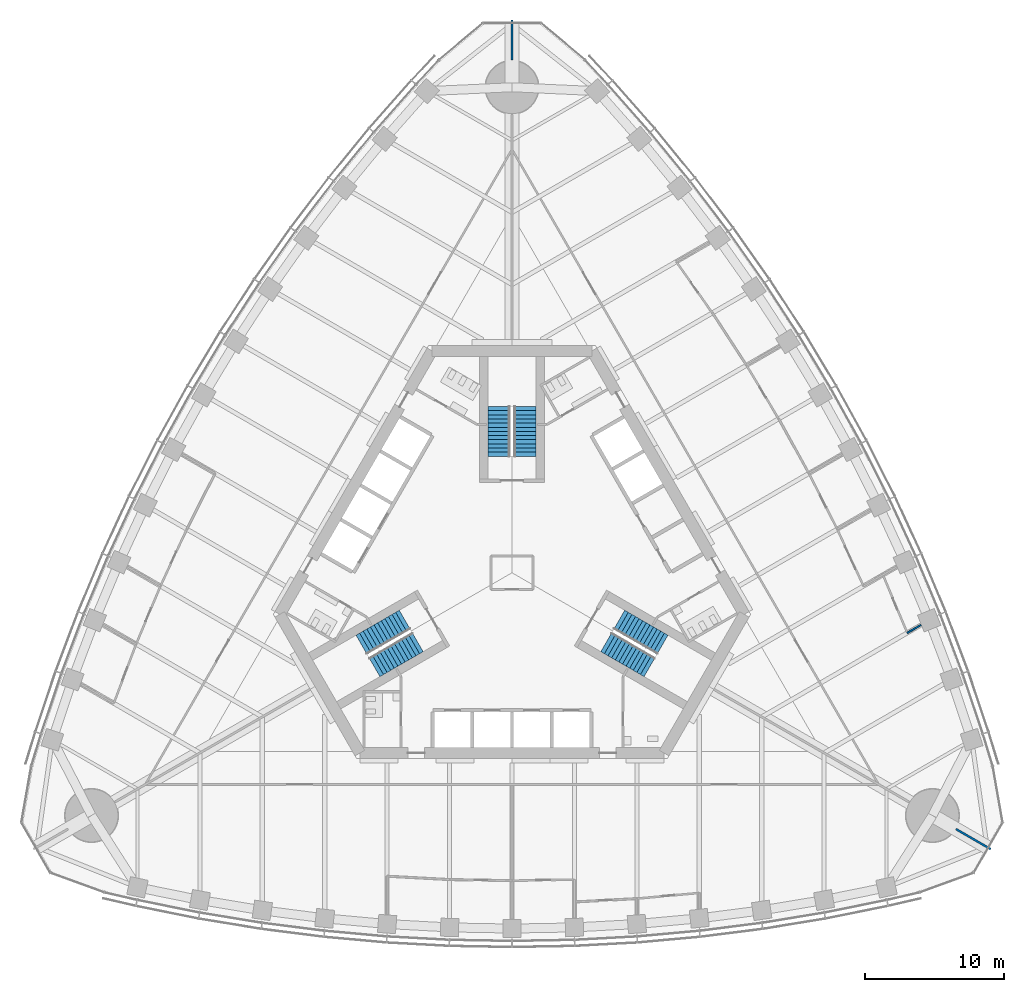
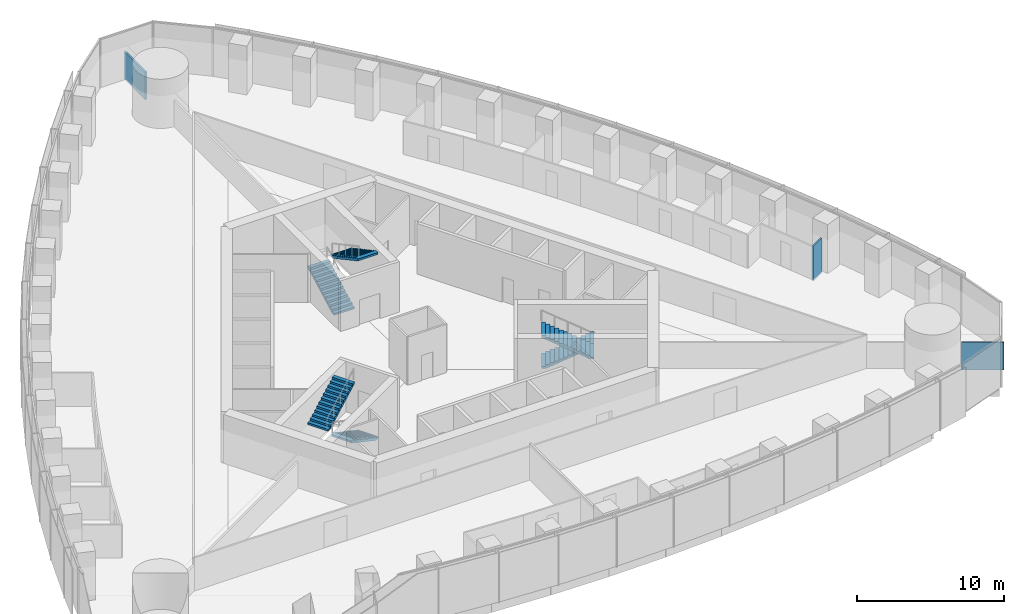
# One storey, part 14 of 19: 6 stair flights, 3 walls, 3 elements without a shape of their own.
"""IFC4 building model written with IfcOpenShell, lengths in metres."""

from ifc_helpers import new_model, si_unit, direction, frame, frame_2d, origin, place, context, subcontext, project, spatial, polyline, rectangle, outline, extrude, material, layer, layer_set, type_object, element, aggregate, save


model = new_model("IFC4")

# Units and contexts
model_context = context("Model", 3, precision=1e-05, world=origin(), true_north=direction((0.0, 1.0)))
body_context = subcontext(model_context, "Body", "Model", "MODEL_VIEW")
ifc_project = project(units=[si_unit("LENGTHUNIT", "METRE"), si_unit("AREAUNIT", "SQUARE_METRE"), si_unit("VOLUMEUNIT", "CUBIC_METRE"), si_unit("PLANEANGLEUNIT", "RADIAN"), si_unit("MASSUNIT", "GRAM", prefix="KILO")], contexts=[model_context])

# Site, building, storey
site_placement = place(None, origin())
site = spatial("IfcSite", under=ifc_project, at=site_placement, CompositionType="ELEMENT")
building_placement = place(site_placement, origin())
building = spatial("IfcBuilding", under=site, at=building_placement, Name="Trefoil Bronze Tower", CompositionType="ELEMENT")
storey_placement = place(building_placement, frame((0.0, 0.0, 119.89990234375)))
storey = spatial("IfcBuildingStorey", under=building, at=storey_placement, Name="L27", CompositionType="ELEMENT", Elevation=119.89990234375)

# Walls
ifc_material_1 = material(Name="Glazed partition", Category="glass")
ifc_layer_1 = layer(ifc_material_1, 0.1201171875)
ifc_layer_set_1 = layer_set([ifc_layer_1], Name="Glazed partition 120")
wall_type_1 = type_object("IfcWallType", Name="Glazed partition 120", PredefinedType="PARTITIONING", material=ifc_layer_set_1)
wall_1_placement = place(storey_placement, frame((28.49462890625, -4.333251953125, 0.0), z_axis=(0.0, 0.0, 1.0), x_axis=(0.865992911964, 0.500056273262, 0.0)))
element("IfcWall", 1, at=wall_1_placement, inside=storey, type_object=wall_type_1, Name="Partition F2 L27", PredefinedType="PARTITIONING", context=body_context, shape_type="SweptSolid", body=[
    extrude(rectangle(XDim=1.139404296875, YDim=0.1201171875, at=frame_2d((0.56982421875, 0.0))), origin(), (0.0, 0.0, 1.0), 2.900146484375),
])
ifc_material_2 = material(Name="Gypsum board on steel studs", Category="steel")
ifc_layer_2 = layer(ifc_material_2, 0.14990234375)
ifc_layer_set_2 = layer_set([ifc_layer_2], Name="Party wall 150")
wall_type_2 = type_object("IfcWallType", Name="Party wall 150", PredefinedType="PARTITIONING", material=ifc_layer_set_2)
wall_2_placement = place(storey_placement, frame((31.999755859375, -18.47509765625, 0.0), z_axis=(0.0, 0.0, 1.0), x_axis=(0.866042548026, -0.499970304126, 0.0)))
element("IfcWall", 2, at=wall_2_placement, inside=storey, type_object=wall_type_2, Name="Party wall K1 L27", PredefinedType="PARTITIONING", context=body_context, shape_type="SweptSolid", body=[
    extrude(rectangle(XDim=2.899169921875, YDim=0.14990234375, at=frame_2d((1.44970703125, 0.0))), origin(), (0.0, 0.0, 1.0), 2.300048828125),
])
wall_3_placement = place(storey_placement, frame((0.0, 36.949951171875, 0.0), z_axis=(0.0, 0.0, 1.0), x_axis=(0.0, 1.0, 0.0)))
element("IfcWall", 3, at=wall_3_placement, inside=storey, type_object=wall_type_2, Name="Party wall K2 L27", PredefinedType="PARTITIONING", context=body_context, shape_type="SweptSolid", body=[
    extrude(rectangle(XDim=2.8994140625, YDim=0.14990234375, at=frame_2d((1.44970703125, 0.0))), origin(), (0.0, 0.0, 1.0), 2.300048828125),
])

# Stair, stair flights
ifc_material_3 = material(Name="Precast concrete B80", Category="concrete")
stair_type = type_object("IfcStairType", Name="Exit stair 26 risers", PredefinedType="HALF_TURN_STAIR", material=ifc_material_3)
stair_1_placement = place(storey_placement, origin())
stair_1 = element("IfcStair", 4, at=stair_1_placement, inside=storey, type_object=stair_type, Name="Stair ST1 L27", PredefinedType="HALF_TURN_STAIR")
ifc_material_4 = material(Name="Precast concrete B80", Category="concrete")
stair_flight_type = type_object("IfcStairFlightType", Name="Stair flight 1600", PredefinedType="STRAIGHT", material=ifc_material_4)
stair_flight_1_placement = place(storey_placement, frame((7.728515625, -3.39404296875, 0.0), z_axis=(0.0, 0.0, 1.0), x_axis=(0.866025403784, -0.5, 0.0)))
stair_flight_1 = element("IfcStairFlight", 5, at=stair_flight_1_placement, type_object=stair_flight_type, Name="ST1 flight 1", NumberOfRisers=13, NumberOfTreads=12, PredefinedType="STRAIGHT", RiserHeight=0.161538462, TreadLength=0.3, context=body_context, shape_type="SweptSolid", body=[
    extrude(outline(polyline([(0.0, 0.0), (0.0, 0.16162109375), (0.300048828125, 0.16162109375), (0.300048828125, 0.322998046875), (0.60009765625, 0.322998046875), (0.60009765625, 0.484619140625), (0.89990234375, 0.484619140625), (0.89990234375, 0.646240234375), (1.199951171875, 0.646240234375), (1.199951171875, 0.8076171875), (1.5, 0.8076171875), (1.5, 0.96923828125), (1.800048828125, 0.96923828125), (1.800048828125, 1.130859375), (2.10009765625, 1.130859375), (2.10009765625, 1.292236328125), (2.39990234375, 1.292236328125), (2.39990234375, 1.453857421875), (2.699951171875, 1.453857421875), (2.699951171875, 1.615478515625), (3.0, 1.615478515625), (3.0, 1.77685546875), (3.300048828125, 1.77685546875), (3.300048828125, 1.9384765625), (3.60009765625, 1.9384765625), (3.60009765625, 2.10009765625), (3.60009765625, 1.768310546875), (0.316162109375, 0.0), (0.0, 0.0)])), frame((0.0, 0.800048828125, 0.0), z_axis=(0.0, -1.0, 0.0), x_axis=(1.0, 0.0, 0.0)), (0.0, 0.0, 1.0), 1.60009765625),
])
stair_flight_2_placement = place(storey_placement, frame((9.921142578125, -6.796142578125, 2.10009765625), z_axis=(0.0, 0.0, 1.0), x_axis=(-0.866025403784, 0.5, 0.0)))
stair_flight_2 = element("IfcStairFlight", 6, at=stair_flight_2_placement, type_object=stair_flight_type, Name="ST1 flight 2", NumberOfRisers=13, NumberOfTreads=12, PredefinedType="STRAIGHT", RiserHeight=0.161538462, TreadLength=0.3, context=body_context, shape_type="SweptSolid", body=[
    extrude(outline(polyline([(0.0, 0.0), (0.0, 0.16162109375), (0.300048828125, 0.16162109375), (0.300048828125, 0.322998046875), (0.60009765625, 0.322998046875), (0.60009765625, 0.484619140625), (0.89990234375, 0.484619140625), (0.89990234375, 0.646240234375), (1.199951171875, 0.646240234375), (1.199951171875, 0.8076171875), (1.5, 0.8076171875), (1.5, 0.96923828125), (1.800048828125, 0.96923828125), (1.800048828125, 1.130859375), (2.10009765625, 1.130859375), (2.10009765625, 1.292236328125), (2.39990234375, 1.292236328125), (2.39990234375, 1.453857421875), (2.699951171875, 1.453857421875), (2.699951171875, 1.615478515625), (3.0, 1.615478515625), (3.0, 1.77685546875), (3.300048828125, 1.77685546875), (3.300048828125, 1.9384765625), (3.60009765625, 1.9384765625), (3.60009765625, 2.10009765625), (3.60009765625, 1.768310546875), (0.316162109375, 0.0), (0.0, 0.0)])), frame((0.0, 0.800048828125, 0.0), z_axis=(0.0, -1.0, 0.0), x_axis=(1.0, 0.0, 0.0)), (0.0, 0.0, 1.0), 1.60009765625),
])
aggregate(stair_1, [stair_flight_1, stair_flight_2])

stair_2_placement = place(storey_placement, origin())
stair_2 = element("IfcStair", 7, at=stair_2_placement, inside=storey, type_object=stair_type, Name="Stair ST2 L27", PredefinedType="HALF_TURN_STAIR")
stair_flight_3_placement = place(storey_placement, frame((-0.925048828125, 8.389892578125, 0.0), z_axis=(0.0, 0.0, 1.0), x_axis=(0.0, 1.0, 0.0)))
stair_flight_3 = element("IfcStairFlight", 8, at=stair_flight_3_placement, type_object=stair_flight_type, Name="ST2 flight 1", NumberOfRisers=13, NumberOfTreads=12, PredefinedType="STRAIGHT", RiserHeight=0.161538462, TreadLength=0.3, context=body_context, shape_type="SweptSolid", body=[
    extrude(outline(polyline([(0.0, 0.0), (0.0, 0.16162109375), (0.300048828125, 0.16162109375), (0.300048828125, 0.322998046875), (0.60009765625, 0.322998046875), (0.60009765625, 0.484619140625), (0.89990234375, 0.484619140625), (0.89990234375, 0.646240234375), (1.199951171875, 0.646240234375), (1.199951171875, 0.8076171875), (1.5, 0.8076171875), (1.5, 0.96923828125), (1.800048828125, 0.96923828125), (1.800048828125, 1.130859375), (2.10009765625, 1.130859375), (2.10009765625, 1.292236328125), (2.39990234375, 1.292236328125), (2.39990234375, 1.453857421875), (2.699951171875, 1.453857421875), (2.699951171875, 1.615478515625), (3.0, 1.615478515625), (3.0, 1.77685546875), (3.300048828125, 1.77685546875), (3.300048828125, 1.9384765625), (3.60009765625, 1.9384765625), (3.60009765625, 2.10009765625), (3.60009765625, 1.768310546875), (0.316162109375, 0.0), (0.0, 0.0)])), frame((0.0, 0.800048828125, 0.0), z_axis=(0.0, -1.0, 0.0), x_axis=(1.0, 0.0, 0.0)), (0.0, 0.0, 1.0), 1.60009765625),
])
stair_flight_4_placement = place(storey_placement, frame((0.925048828125, 11.989990234375, 2.10009765625), z_axis=(0.0, 0.0, 1.0), x_axis=(0.0, -1.0, 0.0)))
stair_flight_4 = element("IfcStairFlight", 9, at=stair_flight_4_placement, type_object=stair_flight_type, Name="ST2 flight 2", NumberOfRisers=13, NumberOfTreads=12, PredefinedType="STRAIGHT", RiserHeight=0.161538462, TreadLength=0.3, context=body_context, shape_type="SweptSolid", body=[
    extrude(outline(polyline([(0.0, 0.0), (0.0, 0.16162109375), (0.300048828125, 0.16162109375), (0.300048828125, 0.322998046875), (0.60009765625, 0.322998046875), (0.60009765625, 0.484619140625), (0.89990234375, 0.484619140625), (0.89990234375, 0.646240234375), (1.199951171875, 0.646240234375), (1.199951171875, 0.8076171875), (1.5, 0.8076171875), (1.5, 0.96923828125), (1.800048828125, 0.96923828125), (1.800048828125, 1.130859375), (2.10009765625, 1.130859375), (2.10009765625, 1.292236328125), (2.39990234375, 1.292236328125), (2.39990234375, 1.453857421875), (2.699951171875, 1.453857421875), (2.699951171875, 1.615478515625), (3.0, 1.615478515625), (3.0, 1.77685546875), (3.300048828125, 1.77685546875), (3.300048828125, 1.9384765625), (3.60009765625, 1.9384765625), (3.60009765625, 2.10009765625), (3.60009765625, 1.768310546875), (0.316162109375, 0.0), (0.0, 0.0)])), frame((0.0, 0.800048828125, 0.0), z_axis=(0.0, -1.0, 0.0), x_axis=(1.0, 0.0, 0.0)), (0.0, 0.0, 1.0), 1.60009765625),
])
aggregate(stair_2, [stair_flight_3, stair_flight_4])

stair_3_placement = place(storey_placement, origin())
stair_3 = element("IfcStair", 10, at=stair_3_placement, inside=storey, type_object=stair_type, Name="Stair ST3 L27", PredefinedType="HALF_TURN_STAIR")
stair_flight_5_placement = place(storey_placement, frame((-6.803466796875, -4.99609375, 0.0), z_axis=(0.0, 0.0, 1.0), x_axis=(-0.866025403784, -0.5, 0.0)))
stair_flight_5 = element("IfcStairFlight", 11, at=stair_flight_5_placement, type_object=stair_flight_type, Name="ST3 flight 1", NumberOfRisers=13, NumberOfTreads=12, PredefinedType="STRAIGHT", RiserHeight=0.161538462, TreadLength=0.3, context=body_context, shape_type="SweptSolid", body=[
    extrude(outline(polyline([(0.0, 0.0), (0.0, 0.16162109375), (0.300048828125, 0.16162109375), (0.300048828125, 0.322998046875), (0.60009765625, 0.322998046875), (0.60009765625, 0.484619140625), (0.89990234375, 0.484619140625), (0.89990234375, 0.646240234375), (1.199951171875, 0.646240234375), (1.199951171875, 0.8076171875), (1.5, 0.8076171875), (1.5, 0.96923828125), (1.800048828125, 0.96923828125), (1.800048828125, 1.130859375), (2.10009765625, 1.130859375), (2.10009765625, 1.292236328125), (2.39990234375, 1.292236328125), (2.39990234375, 1.453857421875), (2.699951171875, 1.453857421875), (2.699951171875, 1.615478515625), (3.0, 1.615478515625), (3.0, 1.77685546875), (3.300048828125, 1.77685546875), (3.300048828125, 1.9384765625), (3.60009765625, 1.9384765625), (3.60009765625, 2.10009765625), (3.60009765625, 1.768310546875), (0.316162109375, 0.0), (0.0, 0.0)])), frame((0.0, 0.800048828125, 0.0), z_axis=(0.0, -1.0, 0.0), x_axis=(1.0, 0.0, 0.0)), (0.0, 0.0, 1.0), 1.60009765625),
])
stair_flight_6_placement = place(storey_placement, frame((-10.84619140625, -5.19384765625, 2.10009765625), z_axis=(0.0, 0.0, 1.0), x_axis=(0.866025403784, 0.5, 0.0)))
stair_flight_6 = element("IfcStairFlight", 12, at=stair_flight_6_placement, type_object=stair_flight_type, Name="ST3 flight 2", NumberOfRisers=13, NumberOfTreads=12, PredefinedType="STRAIGHT", RiserHeight=0.161538462, TreadLength=0.3, context=body_context, shape_type="SweptSolid", body=[
    extrude(outline(polyline([(0.0, 0.0), (0.0, 0.16162109375), (0.300048828125, 0.16162109375), (0.300048828125, 0.322998046875), (0.60009765625, 0.322998046875), (0.60009765625, 0.484619140625), (0.89990234375, 0.484619140625), (0.89990234375, 0.646240234375), (1.199951171875, 0.646240234375), (1.199951171875, 0.8076171875), (1.5, 0.8076171875), (1.5, 0.96923828125), (1.800048828125, 0.96923828125), (1.800048828125, 1.130859375), (2.10009765625, 1.130859375), (2.10009765625, 1.292236328125), (2.39990234375, 1.292236328125), (2.39990234375, 1.453857421875), (2.699951171875, 1.453857421875), (2.699951171875, 1.615478515625), (3.0, 1.615478515625), (3.0, 1.77685546875), (3.300048828125, 1.77685546875), (3.300048828125, 1.9384765625), (3.60009765625, 1.9384765625), (3.60009765625, 2.10009765625), (3.60009765625, 1.768310546875), (0.316162109375, 0.0), (0.0, 0.0)])), frame((0.0, 0.800048828125, 0.0), z_axis=(0.0, -1.0, 0.0), x_axis=(1.0, 0.0, 0.0)), (0.0, 0.0, 1.0), 1.60009765625),
])
aggregate(stair_3, [stair_flight_5, stair_flight_6])

save(model, "model.ifc")
